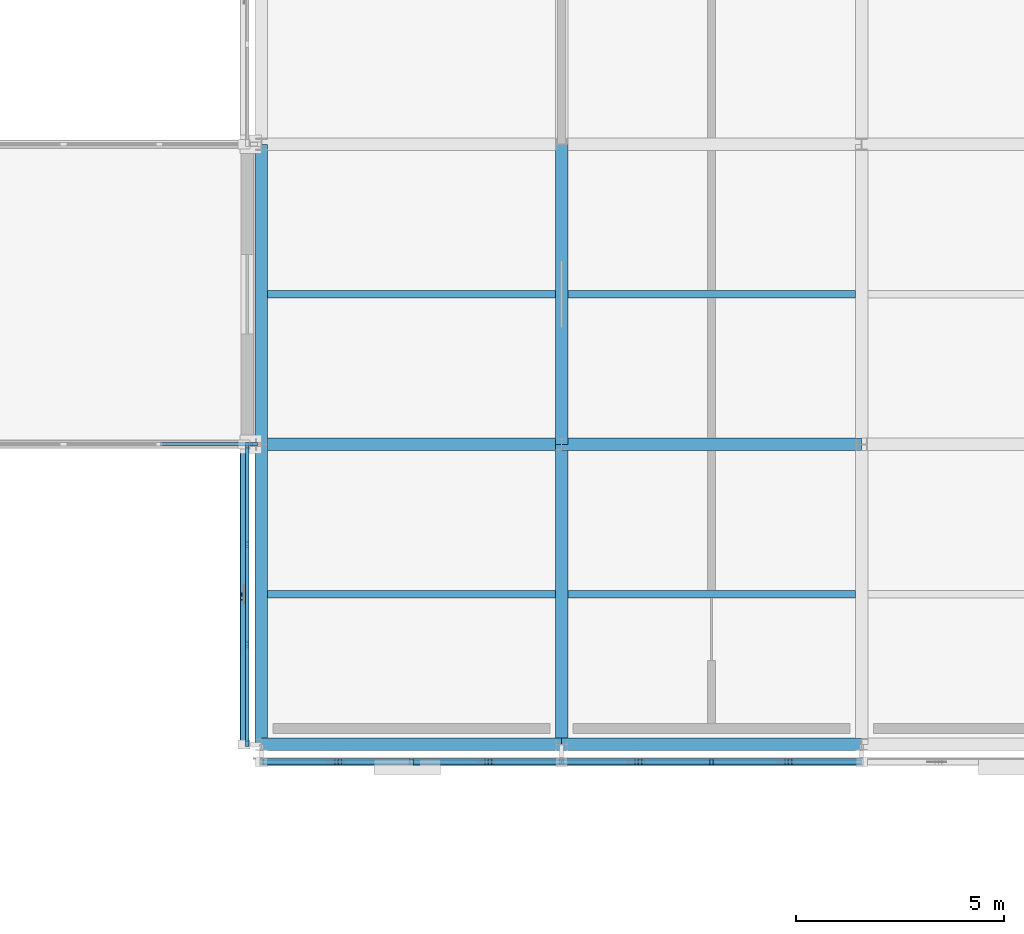
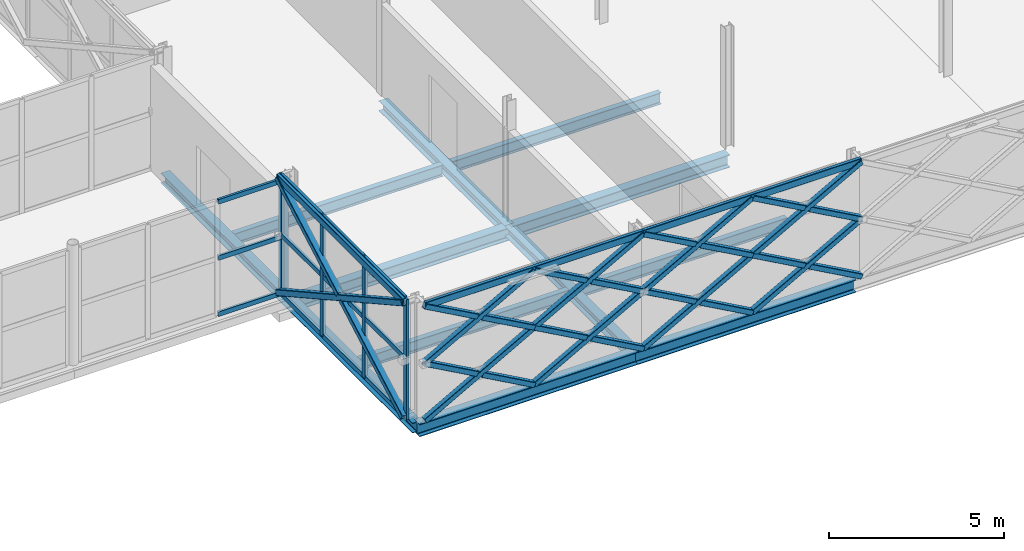
# One storey, part 67 of 146: 47 members, 12 beams, 2 elements without a shape of their own.
"""IFC4 building model written with IfcOpenShell, lengths in metres."""

from ifc_helpers import new_model, si_unit, direction, frame, origin, origin_2d, place, context, subcontext, project, spatial, rectangle, hollow_rectangle, i_section, extrude, material, material_profile, profile_set, type_object, element, aggregate, save


model = new_model("IFC4")

# Units and contexts
model_context = context("Model", 3, precision=1e-05, world=origin(), true_north=direction((0.0, 1.0)))
body_context = subcontext(model_context, "Body", "Model", "MODEL_VIEW")
ifc_project = project(units=[si_unit("LENGTHUNIT", "METRE"), si_unit("AREAUNIT", "SQUARE_METRE"), si_unit("VOLUMEUNIT", "CUBIC_METRE"), si_unit("PLANEANGLEUNIT", "RADIAN"), si_unit("MASSUNIT", "GRAM", prefix="KILO")], contexts=[model_context])

# Site, building, storey
site_placement = place(None, origin())
site = spatial("IfcSite", under=ifc_project, at=site_placement, CompositionType="ELEMENT")
building_placement = place(site_placement, origin())
building = spatial("IfcBuilding", under=site, at=building_placement, Name="Zlatovets Crest Museum", CompositionType="ELEMENT")
storey_placement = place(building_placement, frame((0.0, 0.0, 4.5)))
storey = spatial("IfcBuildingStorey", under=building, at=storey_placement, Name="L01", CompositionType="ELEMENT", Elevation=4.5)

# Beams
ifc_material_1 = material(Name="Structural steel S355J2", Category="steel")
ifc_material_profile_1 = material_profile(ifc_material_1, i_section(OverallWidth=0.300048828125, OverallDepth=0.35009765625, WebThickness=0.010009765625, FlangeThickness=0.017578125, FilletRadius=0.027099609375, at=origin_2d()), Name="HEA 360")
ifc_profile_set_1 = profile_set([ifc_material_profile_1], Name="Structural steel S355J2")
beam_type_1 = type_object("IfcBeamType", Name="Beam_B-03", PredefinedType="BEAM", material=ifc_profile_set_1)
beam_1_placement = place(storey_placement, frame((129.60009765625, 14.39990234375, -0.39501953125), z_axis=(0.0, 1.0, 0.0), x_axis=(-1.0, 0.0, 0.0)))
element("IfcBeam", 1, at=beam_1_placement, inside=storey, type_object=beam_type_1, Name="V5 L01 Grid Beam B-03", PredefinedType="BEAM", context=body_context, shape_type="SweptSolid", body=[
    extrude(i_section(OverallWidth=0.300048828125, OverallDepth=0.35009765625, WebThickness=0.010009765625, FlangeThickness=0.017578125, FilletRadius=0.027099609375, at=origin_2d()), origin(), (0.0, 0.0, 1.0), 7.2001953125),
])
beam_2_placement = place(storey_placement, frame((129.60009765625, 21.60009765625, -0.39501953125), z_axis=(0.0, 1.0, 0.0), x_axis=(-1.0, 0.0, 0.0)))
element("IfcBeam", 2, at=beam_2_placement, inside=storey, type_object=beam_type_1, Name="V5 L01 Grid Beam B-03", PredefinedType="BEAM", context=body_context, shape_type="SweptSolid", body=[
    extrude(i_section(OverallWidth=0.300048828125, OverallDepth=0.35009765625, WebThickness=0.010009765625, FlangeThickness=0.017578125, FilletRadius=0.027099609375, at=origin_2d()), origin(), (0.0, 0.0, 1.0), 7.199951171875),
])
beam_3_placement = place(storey_placement, frame((136.800048828125, 14.39990234375, -0.39501953125), z_axis=(0.0, 1.0, 0.0), x_axis=(-1.0, 0.0, 0.0)))
element("IfcBeam", 3, at=beam_3_placement, inside=storey, type_object=beam_type_1, Name="V5 L01 Grid Beam B-03", PredefinedType="BEAM", context=body_context, shape_type="SweptSolid", body=[
    extrude(i_section(OverallWidth=0.300048828125, OverallDepth=0.35009765625, WebThickness=0.010009765625, FlangeThickness=0.017578125, FilletRadius=0.027099609375, at=origin_2d()), origin(), (0.0, 0.0, 1.0), 7.2001953125),
])
beam_4_placement = place(storey_placement, frame((136.800048828125, 21.60009765625, -0.39501953125), z_axis=(0.0, 1.0, 0.0), x_axis=(-1.0, 0.0, 0.0)))
element("IfcBeam", 4, at=beam_4_placement, inside=storey, type_object=beam_type_1, Name="V5 L01 Grid Beam B-03", PredefinedType="BEAM", context=body_context, shape_type="SweptSolid", body=[
    extrude(i_section(OverallWidth=0.300048828125, OverallDepth=0.35009765625, WebThickness=0.010009765625, FlangeThickness=0.017578125, FilletRadius=0.027099609375, at=origin_2d()), origin(), (0.0, 0.0, 1.0), 7.199951171875),
])
ifc_material_profile_2 = material_profile(ifc_material_1, i_section(OverallWidth=0.300048828125, OverallDepth=0.43994140625, WebThickness=0.011474609375, FlangeThickness=0.02099609375, FilletRadius=0.027099609375, at=origin_2d()), Name="HEA 450")
ifc_profile_set_2 = profile_set([ifc_material_profile_2], Name="Structural steel S355J2")
beam_type_2 = type_object("IfcBeamType", Name="Beam_B-10", PredefinedType="BEAM", material=ifc_profile_set_2)
for number, where, z_axis, x_axis, name in (
    (5, (129.60009765625, 14.39990234375, -0.43994140625), (1.0, 0.0, 0.0), (0.0, 1.0, 0.0), "V5 L01 Primary Girder B-10"),
    (6, (136.800048828125, 14.39990234375, -0.43994140625), (1.0, 0.0, 0.0), (0.0, 1.0, 0.0), "V5 L01 Primary Girder B-10"),
    (7, (129.60009765625, 21.60009765625, -0.43994140625), (1.0, 0.0, 0.0), (0.0, 1.0, 0.0), "V5 L01 Primary Girder B-10"),
    (8, (136.800048828125, 21.60009765625, -0.43994140625), (1.0, 0.0, 0.0), (0.0, 1.0, 0.0), "V5 L01 Primary Girder B-10"),
):
    element("IfcBeam", number, at=place(storey_placement, frame(where, z_axis=z_axis, x_axis=x_axis)), inside=storey, type_object=beam_type_2, Name=name, PredefinedType="BEAM", context=body_context, shape_type="SweptSolid", body=[
        extrude(i_section(OverallWidth=0.300048828125, OverallDepth=0.43994140625, WebThickness=0.011474609375, FlangeThickness=0.02099609375, FilletRadius=0.027099609375, at=origin_2d()), origin(), (0.0, 0.0, 1.0), 7.199951171875),
    ])
ifc_material_profile_3 = material_profile(ifc_material_1, i_section(OverallWidth=0.179931640625, OverallDepth=0.39990234375, WebThickness=0.008544921875, FlangeThickness=0.013427734375, FilletRadius=0.02099609375, at=origin_2d()), Name="IPE 400")
ifc_profile_set_3 = profile_set([ifc_material_profile_3], Name="Structural steel S355J2")
beam_type_3 = type_object("IfcBeamType", Name="Beam_J-04", PredefinedType="JOIST", material=ifc_profile_set_3)
for number, where, z_axis, x_axis, name in (
    (9, (129.75, 18.0, -0.419921875), (1.0, 0.0, 0.0), (0.0, 1.0, 0.0), "V5 L01 Composite Joist J-04"),
    (10, (129.75, 25.199951171875, -0.419921875), (1.0, 0.0, 0.0), (0.0, 1.0, 0.0), "V5 L01 Composite Joist J-04"),
):
    element("IfcBeam", number, at=place(storey_placement, frame(where, z_axis=z_axis, x_axis=x_axis)), inside=storey, type_object=beam_type_3, Name=name, PredefinedType="JOIST", context=body_context, shape_type="SweptSolid", body=[
        extrude(i_section(OverallWidth=0.179931640625, OverallDepth=0.39990234375, WebThickness=0.008544921875, FlangeThickness=0.013427734375, FilletRadius=0.02099609375, at=origin_2d()), origin(), (0.0, 0.0, 1.0), 6.89990234375),
    ])
for number, where, z_axis, x_axis, name in (
    (11, (136.949951171875, 18.0, -0.419921875), (1.0, 0.0, 0.0), (0.0, 1.0, 0.0), "V5 L01 Composite Joist J-04"),
    (12, (136.949951171875, 25.199951171875, -0.419921875), (1.0, 0.0, 0.0), (0.0, 1.0, 0.0), "V5 L01 Composite Joist J-04"),
):
    element("IfcBeam", number, at=place(storey_placement, frame(where, z_axis=z_axis, x_axis=x_axis)), inside=storey, type_object=beam_type_3, Name=name, PredefinedType="JOIST", context=body_context, shape_type="SweptSolid", body=[
        extrude(i_section(OverallWidth=0.179931640625, OverallDepth=0.39990234375, WebThickness=0.008544921875, FlangeThickness=0.013427734375, FilletRadius=0.02099609375, at=origin_2d()), origin(), (0.0, 0.0, 1.0), 6.900146484375),
    ])

# Curtain wall, members
ifc_material_2 = material(Name="Bronze-anodised aluminium and low-E triple glass", Category="aluminium")
curtain_wall_type_1 = type_object("IfcCurtainWallType", Name="CW_CW-V5-L01-M1", PredefinedType="NOTDEFINED", material=ifc_material_2)
curtain_wall_1_placement = place(storey_placement, origin())
curtain_wall_1 = element("IfcCurtainWall", 13, at=curtain_wall_1_placement, inside=storey, type_object=curtain_wall_type_1, Name="V5 L01 Secession Foyer Clear Curtain Wall", PredefinedType="NOTDEFINED")
ifc_material_3 = material(Name="Bronze-anodised aluminium EN AW-6060", Category="aluminium")
ifc_material_profile_4 = material_profile(ifc_material_3, rectangle(XDim=0.080078125, YDim=0.159912109375, at=origin_2d()), Name="ALU 80x160")
ifc_profile_set_4 = profile_set([ifc_material_profile_4], Name="Bronze-anodised aluminium EN AW-6060")
member_type_1 = type_object("IfcMemberType", Name="CWMull_M1", PredefinedType="MULLION", material=ifc_profile_set_4)
member_1_placement = place(storey_placement, frame((129.260009765625, 21.570068359375, 0.0), z_axis=(0.0, 0.0, 1.0), x_axis=(1.0, 0.0, 0.0)))
member_1 = element("IfcMember", 14, at=member_1_placement, type_object=member_type_1, Name="CW-V5-L01-M1 mullion 1", PredefinedType="MULLION", context=body_context, shape_type="SweptSolid", body=[
    extrude(rectangle(XDim=0.080078125, YDim=0.159912109375, at=origin_2d()), origin(), (0.0, 0.0, 1.0), 4.199951171875),
])
member_2_placement = place(storey_placement, frame((129.260009765625, 19.199951171875, 0.0), z_axis=(0.0, 0.0, 1.0), x_axis=(1.0, 0.0, 0.0)))
member_2 = element("IfcMember", 15, at=member_2_placement, type_object=member_type_1, Name="CW-V5-L01-M1 mullion 2", PredefinedType="MULLION", context=body_context, shape_type="SweptSolid", body=[
    extrude(rectangle(XDim=0.080078125, YDim=0.159912109375, at=origin_2d()), origin(), (0.0, 0.0, 1.0), 4.199951171875),
])
member_3_placement = place(storey_placement, frame((129.260009765625, 16.800048828125, 0.0), z_axis=(0.0, 0.0, 1.0), x_axis=(1.0, 0.0, 0.0)))
member_3 = element("IfcMember", 16, at=member_3_placement, type_object=member_type_1, Name="CW-V5-L01-M1 mullion 3", PredefinedType="MULLION", context=body_context, shape_type="SweptSolid", body=[
    extrude(rectangle(XDim=0.080078125, YDim=0.159912109375, at=origin_2d()), origin(), (0.0, 0.0, 1.0), 4.199951171875),
])
member_4_placement = place(storey_placement, frame((129.260009765625, 14.429931640625, 0.0), z_axis=(0.0, 0.0, 1.0), x_axis=(1.0, 0.0, 0.0)))
member_4 = element("IfcMember", 17, at=member_4_placement, type_object=member_type_1, Name="CW-V5-L01-M1 mullion 4", PredefinedType="MULLION", context=body_context, shape_type="SweptSolid", body=[
    extrude(rectangle(XDim=0.080078125, YDim=0.159912109375, at=origin_2d()), origin(), (0.0, 0.0, 1.0), 4.199951171875),
])

# Curtain wall, member
curtain_wall_type_2 = type_object("IfcCurtainWallType", Name="CW_CW-BR4-L01-S69", PredefinedType="NOTDEFINED", material=ifc_material_2)
curtain_wall_2_placement = place(storey_placement, origin())
curtain_wall_2 = element("IfcCurtainWall", 18, at=curtain_wall_2_placement, inside=storey, type_object=curtain_wall_type_2, Name="Southeast Archive Glazed Link Bridge L01 Glazed Bridge Curtain Wall", PredefinedType="NOTDEFINED")
member_5_placement = place(storey_placement, frame((129.419921875, 21.60009765625, 0.0), z_axis=(0.0, 0.0, 1.0), x_axis=(0.0, 1.0, 0.0)))
member_5 = element("IfcMember", 19, at=member_5_placement, type_object=member_type_1, Name="CW-BR4-L01-S69 mullion 4", PredefinedType="MULLION", context=body_context, shape_type="SweptSolid", body=[
    extrude(rectangle(XDim=0.080078125, YDim=0.159912109375, at=origin_2d()), origin(), (0.0, 0.0, 1.0), 3.97998046875),
])

# Member
ifc_material_profile_5 = material_profile(ifc_material_3, rectangle(XDim=0.080078125, YDim=0.159912109375, at=origin_2d()), Name="ALU 80x160")
ifc_profile_set_5 = profile_set([ifc_material_profile_5], Name="Bronze-anodised aluminium EN AW-6060")
member_type_2 = type_object("IfcMemberType", Name="CWTrans_T1", PredefinedType="USERDEFINED", material=ifc_profile_set_5)
member_6_placement = place(storey_placement, frame((129.260009765625, 21.5400390625, 0.030029296875), z_axis=(0.0, -1.0, 0.0), x_axis=(1.0, 0.0, 0.0)))
member_6 = element("IfcMember", 20, at=member_6_placement, type_object=member_type_2, Name="CW-V5-L01-M1 transom 1.1", ObjectType="TRANSOM", PredefinedType="USERDEFINED", context=body_context, shape_type="SweptSolid", body=[
    extrude(rectangle(XDim=0.080078125, YDim=0.159912109375, at=origin_2d()), origin(), (0.0, 0.0, 1.0), 2.31005859375),
])

member_7_placement = place(storey_placement, frame((129.260009765625, 21.5400390625, 2.10009765625), z_axis=(0.0, -1.0, 0.0), x_axis=(1.0, 0.0, 0.0)))
member_7 = element("IfcMember", 21, at=member_7_placement, type_object=member_type_2, Name="CW-V5-L01-M1 transom 1.2", ObjectType="TRANSOM", PredefinedType="USERDEFINED", context=body_context, shape_type="SweptSolid", body=[
    extrude(rectangle(XDim=0.080078125, YDim=0.159912109375, at=origin_2d()), origin(), (0.0, 0.0, 1.0), 2.31005859375),
])

member_8_placement = place(storey_placement, frame((129.260009765625, 21.5400390625, 4.169921875), z_axis=(0.0, -1.0, 0.0), x_axis=(1.0, 0.0, 0.0)))
member_8 = element("IfcMember", 22, at=member_8_placement, type_object=member_type_2, Name="CW-V5-L01-M1 transom 1.3", ObjectType="TRANSOM", PredefinedType="USERDEFINED", context=body_context, shape_type="SweptSolid", body=[
    extrude(rectangle(XDim=0.080078125, YDim=0.159912109375, at=origin_2d()), origin(), (0.0, 0.0, 1.0), 2.31005859375),
])

member_9_placement = place(storey_placement, frame((129.260009765625, 19.169921875, 0.030029296875), z_axis=(0.0, -1.0, 0.0), x_axis=(1.0, 0.0, 0.0)))
member_9 = element("IfcMember", 23, at=member_9_placement, type_object=member_type_2, Name="CW-V5-L01-M1 transom 2.1", ObjectType="TRANSOM", PredefinedType="USERDEFINED", context=body_context, shape_type="SweptSolid", body=[
    extrude(rectangle(XDim=0.080078125, YDim=0.159912109375, at=origin_2d()), origin(), (0.0, 0.0, 1.0), 2.33984375),
])

member_10_placement = place(storey_placement, frame((129.260009765625, 19.169921875, 2.10009765625), z_axis=(0.0, -1.0, 0.0), x_axis=(1.0, 0.0, 0.0)))
member_10 = element("IfcMember", 24, at=member_10_placement, type_object=member_type_2, Name="CW-V5-L01-M1 transom 2.2", ObjectType="TRANSOM", PredefinedType="USERDEFINED", context=body_context, shape_type="SweptSolid", body=[
    extrude(rectangle(XDim=0.080078125, YDim=0.159912109375, at=origin_2d()), origin(), (0.0, 0.0, 1.0), 2.33984375),
])

member_11_placement = place(storey_placement, frame((129.260009765625, 19.169921875, 4.169921875), z_axis=(0.0, -1.0, 0.0), x_axis=(1.0, 0.0, 0.0)))
member_11 = element("IfcMember", 25, at=member_11_placement, type_object=member_type_2, Name="CW-V5-L01-M1 transom 2.3", ObjectType="TRANSOM", PredefinedType="USERDEFINED", context=body_context, shape_type="SweptSolid", body=[
    extrude(rectangle(XDim=0.080078125, YDim=0.159912109375, at=origin_2d()), origin(), (0.0, 0.0, 1.0), 2.33984375),
])

member_12_placement = place(storey_placement, frame((129.260009765625, 16.77001953125, 0.030029296875), z_axis=(0.0, -1.0, 0.0), x_axis=(1.0, 0.0, 0.0)))
member_12 = element("IfcMember", 26, at=member_12_placement, type_object=member_type_2, Name="CW-V5-L01-M1 transom 3.1", ObjectType="TRANSOM", PredefinedType="USERDEFINED", context=body_context, shape_type="SweptSolid", body=[
    extrude(rectangle(XDim=0.080078125, YDim=0.159912109375, at=origin_2d()), origin(), (0.0, 0.0, 1.0), 2.31005859375),
])

member_13_placement = place(storey_placement, frame((129.260009765625, 16.77001953125, 2.10009765625), z_axis=(0.0, -1.0, 0.0), x_axis=(1.0, 0.0, 0.0)))
member_13 = element("IfcMember", 27, at=member_13_placement, type_object=member_type_2, Name="CW-V5-L01-M1 transom 3.2", ObjectType="TRANSOM", PredefinedType="USERDEFINED", context=body_context, shape_type="SweptSolid", body=[
    extrude(rectangle(XDim=0.080078125, YDim=0.159912109375, at=origin_2d()), origin(), (0.0, 0.0, 1.0), 2.31005859375),
])

member_14_placement = place(storey_placement, frame((129.260009765625, 16.77001953125, 4.169921875), z_axis=(0.0, -1.0, 0.0), x_axis=(1.0, 0.0, 0.0)))
member_14 = element("IfcMember", 28, at=member_14_placement, type_object=member_type_2, Name="CW-V5-L01-M1 transom 3.3", ObjectType="TRANSOM", PredefinedType="USERDEFINED", context=body_context, shape_type="SweptSolid", body=[
    extrude(rectangle(XDim=0.080078125, YDim=0.159912109375, at=origin_2d()), origin(), (0.0, 0.0, 1.0), 2.31005859375),
])

aggregate(curtain_wall_1, [member_1, member_2, member_3, member_4, member_6, member_7, member_8, member_9, member_10, member_11, member_12, member_13, member_14])

member_15_placement = place(storey_placement, frame((127.179931640625, 21.60009765625, 0.030029296875), z_axis=(1.0, 0.0, 0.0), x_axis=(0.0, 1.0, 0.0)))
member_15 = element("IfcMember", 29, at=member_15_placement, type_object=member_type_2, Name="CW-BR4-L01-S69 transom 3.1", ObjectType="TRANSOM", PredefinedType="USERDEFINED", context=body_context, shape_type="SweptSolid", body=[
    extrude(rectangle(XDim=0.080078125, YDim=0.159912109375, at=origin_2d()), origin(), (0.0, 0.0, 1.0), 2.2099609375),
])

member_16_placement = place(storey_placement, frame((127.179931640625, 21.60009765625, 1.989990234375), z_axis=(1.0, 0.0, 0.0), x_axis=(0.0, 1.0, 0.0)))
member_16 = element("IfcMember", 30, at=member_16_placement, type_object=member_type_2, Name="CW-BR4-L01-S69 transom 3.2", ObjectType="TRANSOM", PredefinedType="USERDEFINED", context=body_context, shape_type="SweptSolid", body=[
    extrude(rectangle(XDim=0.080078125, YDim=0.159912109375, at=origin_2d()), origin(), (0.0, 0.0, 1.0), 2.2099609375),
])

member_17_placement = place(storey_placement, frame((127.179931640625, 21.60009765625, 3.949951171875), z_axis=(1.0, 0.0, 0.0), x_axis=(0.0, 1.0, 0.0)))
member_17 = element("IfcMember", 31, at=member_17_placement, type_object=member_type_2, Name="CW-BR4-L01-S69 transom 3.3", ObjectType="TRANSOM", PredefinedType="USERDEFINED", context=body_context, shape_type="SweptSolid", body=[
    extrude(rectangle(XDim=0.080078125, YDim=0.159912109375, at=origin_2d()), origin(), (0.0, 0.0, 1.0), 2.2099609375),
])

aggregate(curtain_wall_2, [member_5, member_15, member_16, member_17])

# Members
ifc_material_4 = material(Name="Weathering bronze-steel S355J2W", Category="steel")
ifc_material_profile_6 = material_profile(ifc_material_4, hollow_rectangle(XDim=0.179931640625, YDim=0.179931640625, WallThickness=0.010009765625, InnerFilletRadius=0.010009765625, OuterFilletRadius=0.02001953125, at=origin_2d()), Name="SHS 180x180x10.0")
ifc_profile_set_6 = profile_set([ifc_material_profile_6], Name="Weathering bronze-steel S355J2W")
member_type_3 = type_object("IfcMemberType", Name="Lattice_XL-01", PredefinedType="BRACE", material=ifc_profile_set_6)
member_18_placement = place(storey_placement, frame((129.60009765625, 13.97998046875, 0.10009765625), z_axis=(0.874148886685, 0.0, 0.485658031857), x_axis=(0.0, 1.0, 0.0)))
element("IfcMember", 32, at=member_18_placement, inside=storey, type_object=member_type_3, Name="Continuous Bronze Lattice Diagonal", PredefinedType="BRACE", context=body_context, shape_type="SweptSolid", body=[
    extrude(hollow_rectangle(XDim=0.179931640625, YDim=0.179931640625, WallThickness=0.010009765625, InnerFilletRadius=0.010009765625, OuterFilletRadius=0.02001953125, at=origin_2d()), origin(), (0.0, 0.0, 1.0), 4.1181640625),
])
for number, where, z_axis, x_axis, name in (
    (33, (129.60009765625, 13.97998046875, 2.10009765625), (0.874086907708, 0.0, -0.485769572713), (0.0, 1.0, 0.0), "Split Crossing Bronze Lattice Diagonal Upper"),
    (34, (131.48291015625, 13.97998046875, 1.053955078125), (0.874169001841, 0.0, -0.485621824284), (0.0, 1.0, 0.0), "Split Crossing Bronze Lattice Diagonal Lower"),
):
    element("IfcMember", number, at=place(storey_placement, frame(where, z_axis=z_axis, x_axis=x_axis)), inside=storey, type_object=member_type_3, Name=name, PredefinedType="BRACE", context=body_context, shape_type="SweptSolid", body=[
        extrude(hollow_rectangle(XDim=0.179931640625, YDim=0.179931640625, WallThickness=0.010009765625, InnerFilletRadius=0.010009765625, OuterFilletRadius=0.02001953125, at=origin_2d()), origin(), (0.0, 0.0, 1.0), 1.964111328125),
    ])
member_19_placement = place(storey_placement, frame((133.199951171875, 13.97998046875, 0.10009765625), z_axis=(0.874162868644, 0.0, 0.485632864501), x_axis=(0.0, 1.0, 0.0)))
element("IfcMember", 35, at=member_19_placement, inside=storey, type_object=member_type_3, Name="Continuous Bronze Lattice Diagonal", PredefinedType="BRACE", context=body_context, shape_type="SweptSolid", body=[
    extrude(hollow_rectangle(XDim=0.179931640625, YDim=0.179931640625, WallThickness=0.010009765625, InnerFilletRadius=0.010009765625, OuterFilletRadius=0.02001953125, at=origin_2d()), origin(), (0.0, 0.0, 1.0), 4.118408203125),
])
member_20_placement = place(storey_placement, frame((133.199951171875, 13.97998046875, 2.10009765625), z_axis=(0.874116234569, 0.0, -0.48571679862), x_axis=(0.0, 1.0, 0.0)))
element("IfcMember", 36, at=member_20_placement, inside=storey, type_object=member_type_3, Name="Split Crossing Bronze Lattice Diagonal Upper", PredefinedType="BRACE", context=body_context, shape_type="SweptSolid", body=[
    extrude(hollow_rectangle(XDim=0.179931640625, YDim=0.179931640625, WallThickness=0.010009765625, InnerFilletRadius=0.010009765625, OuterFilletRadius=0.02001953125, at=origin_2d()), origin(), (0.0, 0.0, 1.0), 1.96435546875),
])
member_21_placement = place(storey_placement, frame((135.0830078125, 13.97998046875, 1.053955078125), z_axis=(0.874169001841, 0.0, -0.485621824284), x_axis=(0.0, 1.0, 0.0)))
element("IfcMember", 37, at=member_21_placement, inside=storey, type_object=member_type_3, Name="Split Crossing Bronze Lattice Diagonal Lower", PredefinedType="BRACE", context=body_context, shape_type="SweptSolid", body=[
    extrude(hollow_rectangle(XDim=0.179931640625, YDim=0.179931640625, WallThickness=0.010009765625, InnerFilletRadius=0.010009765625, OuterFilletRadius=0.02001953125, at=origin_2d()), origin(), (0.0, 0.0, 1.0), 1.964111328125),
])
member_22_placement = place(storey_placement, frame((129.60009765625, 13.97998046875, 2.10009765625), z_axis=(0.874148886685, 0.0, 0.485658031857), x_axis=(0.0, 1.0, 0.0)))
element("IfcMember", 38, at=member_22_placement, inside=storey, type_object=member_type_3, Name="Continuous Bronze Lattice Diagonal", PredefinedType="BRACE", context=body_context, shape_type="SweptSolid", body=[
    extrude(hollow_rectangle(XDim=0.179931640625, YDim=0.179931640625, WallThickness=0.010009765625, InnerFilletRadius=0.010009765625, OuterFilletRadius=0.02001953125, at=origin_2d()), origin(), (0.0, 0.0, 1.0), 4.1181640625),
])
for number, where, z_axis, x_axis, name in (
    (39, (129.60009765625, 13.97998046875, 4.10009765625), (0.874086907708, 0.0, -0.485769572713), (0.0, 1.0, 0.0), "Split Crossing Bronze Lattice Diagonal Upper"),
    (40, (131.48291015625, 13.97998046875, 3.053955078125), (0.874169001841, 0.0, -0.485621824284), (0.0, 1.0, 0.0), "Split Crossing Bronze Lattice Diagonal Lower"),
):
    element("IfcMember", number, at=place(storey_placement, frame(where, z_axis=z_axis, x_axis=x_axis)), inside=storey, type_object=member_type_3, Name=name, PredefinedType="BRACE", context=body_context, shape_type="SweptSolid", body=[
        extrude(hollow_rectangle(XDim=0.179931640625, YDim=0.179931640625, WallThickness=0.010009765625, InnerFilletRadius=0.010009765625, OuterFilletRadius=0.02001953125, at=origin_2d()), origin(), (0.0, 0.0, 1.0), 1.964111328125),
    ])
member_23_placement = place(storey_placement, frame((133.199951171875, 13.97998046875, 2.10009765625), z_axis=(0.874162868644, 0.0, 0.485632864501), x_axis=(0.0, 1.0, 0.0)))
element("IfcMember", 41, at=member_23_placement, inside=storey, type_object=member_type_3, Name="Continuous Bronze Lattice Diagonal", PredefinedType="BRACE", context=body_context, shape_type="SweptSolid", body=[
    extrude(hollow_rectangle(XDim=0.179931640625, YDim=0.179931640625, WallThickness=0.010009765625, InnerFilletRadius=0.010009765625, OuterFilletRadius=0.02001953125, at=origin_2d()), origin(), (0.0, 0.0, 1.0), 4.118408203125),
])
member_24_placement = place(storey_placement, frame((133.199951171875, 13.97998046875, 4.10009765625), z_axis=(0.874116234569, 0.0, -0.48571679862), x_axis=(0.0, 1.0, 0.0)))
element("IfcMember", 42, at=member_24_placement, inside=storey, type_object=member_type_3, Name="Split Crossing Bronze Lattice Diagonal Upper", PredefinedType="BRACE", context=body_context, shape_type="SweptSolid", body=[
    extrude(hollow_rectangle(XDim=0.179931640625, YDim=0.179931640625, WallThickness=0.010009765625, InnerFilletRadius=0.010009765625, OuterFilletRadius=0.02001953125, at=origin_2d()), origin(), (0.0, 0.0, 1.0), 1.96435546875),
])
member_25_placement = place(storey_placement, frame((135.0830078125, 13.97998046875, 3.053955078125), z_axis=(0.874169001841, 0.0, -0.485621824284), x_axis=(0.0, 1.0, 0.0)))
element("IfcMember", 43, at=member_25_placement, inside=storey, type_object=member_type_3, Name="Split Crossing Bronze Lattice Diagonal Lower", PredefinedType="BRACE", context=body_context, shape_type="SweptSolid", body=[
    extrude(hollow_rectangle(XDim=0.179931640625, YDim=0.179931640625, WallThickness=0.010009765625, InnerFilletRadius=0.010009765625, OuterFilletRadius=0.02001953125, at=origin_2d()), origin(), (0.0, 0.0, 1.0), 1.964111328125),
])
member_26_placement = place(storey_placement, frame((136.800048828125, 13.97998046875, 0.10009765625), z_axis=(0.874148886685, 0.0, 0.485658031857), x_axis=(0.0, 1.0, 0.0)))
element("IfcMember", 44, at=member_26_placement, inside=storey, type_object=member_type_3, Name="Continuous Bronze Lattice Diagonal", PredefinedType="BRACE", context=body_context, shape_type="SweptSolid", body=[
    extrude(hollow_rectangle(XDim=0.179931640625, YDim=0.179931640625, WallThickness=0.010009765625, InnerFilletRadius=0.010009765625, OuterFilletRadius=0.02001953125, at=origin_2d()), origin(), (0.0, 0.0, 1.0), 4.1181640625),
])
member_27_placement = place(storey_placement, frame((136.800048828125, 13.97998046875, 2.10009765625), z_axis=(0.874116234569, 0.0, -0.48571679862), x_axis=(0.0, 1.0, 0.0)))
element("IfcMember", 45, at=member_27_placement, inside=storey, type_object=member_type_3, Name="Split Crossing Bronze Lattice Diagonal Upper", PredefinedType="BRACE", context=body_context, shape_type="SweptSolid", body=[
    extrude(hollow_rectangle(XDim=0.179931640625, YDim=0.179931640625, WallThickness=0.010009765625, InnerFilletRadius=0.010009765625, OuterFilletRadius=0.02001953125, at=origin_2d()), origin(), (0.0, 0.0, 1.0), 1.96435546875),
])
member_28_placement = place(storey_placement, frame((138.68310546875, 13.97998046875, 1.053955078125), z_axis=(0.874139684676, 0.0, -0.48567459443), x_axis=(0.0, 1.0, 0.0)))
element("IfcMember", 46, at=member_28_placement, inside=storey, type_object=member_type_3, Name="Split Crossing Bronze Lattice Diagonal Lower", PredefinedType="BRACE", context=body_context, shape_type="SweptSolid", body=[
    extrude(hollow_rectangle(XDim=0.179931640625, YDim=0.179931640625, WallThickness=0.010009765625, InnerFilletRadius=0.010009765625, OuterFilletRadius=0.02001953125, at=origin_2d()), origin(), (0.0, 0.0, 1.0), 1.9638671875),
])
member_29_placement = place(storey_placement, frame((140.39990234375, 13.97998046875, 0.10009765625), z_axis=(0.874162868644, 0.0, 0.485632864501), x_axis=(0.0, 1.0, 0.0)))
element("IfcMember", 47, at=member_29_placement, inside=storey, type_object=member_type_3, Name="Continuous Bronze Lattice Diagonal", PredefinedType="BRACE", context=body_context, shape_type="SweptSolid", body=[
    extrude(hollow_rectangle(XDim=0.179931640625, YDim=0.179931640625, WallThickness=0.010009765625, InnerFilletRadius=0.010009765625, OuterFilletRadius=0.02001953125, at=origin_2d()), origin(), (0.0, 0.0, 1.0), 4.118408203125),
])
member_30_placement = place(storey_placement, frame((140.39990234375, 13.97998046875, 2.10009765625), z_axis=(0.874116234569, 0.0, -0.48571679862), x_axis=(0.0, 1.0, 0.0)))
element("IfcMember", 48, at=member_30_placement, inside=storey, type_object=member_type_3, Name="Split Crossing Bronze Lattice Diagonal Upper", PredefinedType="BRACE", context=body_context, shape_type="SweptSolid", body=[
    extrude(hollow_rectangle(XDim=0.179931640625, YDim=0.179931640625, WallThickness=0.010009765625, InnerFilletRadius=0.010009765625, OuterFilletRadius=0.02001953125, at=origin_2d()), origin(), (0.0, 0.0, 1.0), 1.96435546875),
])
member_31_placement = place(storey_placement, frame((142.282958984375, 13.97998046875, 1.053955078125), z_axis=(0.874169001841, 0.0, -0.485621824284), x_axis=(0.0, 1.0, 0.0)))
element("IfcMember", 49, at=member_31_placement, inside=storey, type_object=member_type_3, Name="Split Crossing Bronze Lattice Diagonal Lower", PredefinedType="BRACE", context=body_context, shape_type="SweptSolid", body=[
    extrude(hollow_rectangle(XDim=0.179931640625, YDim=0.179931640625, WallThickness=0.010009765625, InnerFilletRadius=0.010009765625, OuterFilletRadius=0.02001953125, at=origin_2d()), origin(), (0.0, 0.0, 1.0), 1.964111328125),
])
member_32_placement = place(storey_placement, frame((136.800048828125, 13.97998046875, 2.10009765625), z_axis=(0.874148886685, 0.0, 0.485658031857), x_axis=(0.0, 1.0, 0.0)))
element("IfcMember", 50, at=member_32_placement, inside=storey, type_object=member_type_3, Name="Continuous Bronze Lattice Diagonal", PredefinedType="BRACE", context=body_context, shape_type="SweptSolid", body=[
    extrude(hollow_rectangle(XDim=0.179931640625, YDim=0.179931640625, WallThickness=0.010009765625, InnerFilletRadius=0.010009765625, OuterFilletRadius=0.02001953125, at=origin_2d()), origin(), (0.0, 0.0, 1.0), 4.1181640625),
])
member_33_placement = place(storey_placement, frame((136.800048828125, 13.97998046875, 4.10009765625), z_axis=(0.874116234569, 0.0, -0.48571679862), x_axis=(0.0, 1.0, 0.0)))
element("IfcMember", 51, at=member_33_placement, inside=storey, type_object=member_type_3, Name="Split Crossing Bronze Lattice Diagonal Upper", PredefinedType="BRACE", context=body_context, shape_type="SweptSolid", body=[
    extrude(hollow_rectangle(XDim=0.179931640625, YDim=0.179931640625, WallThickness=0.010009765625, InnerFilletRadius=0.010009765625, OuterFilletRadius=0.02001953125, at=origin_2d()), origin(), (0.0, 0.0, 1.0), 1.96435546875),
])
member_34_placement = place(storey_placement, frame((138.68310546875, 13.97998046875, 3.053955078125), z_axis=(0.874139684676, 0.0, -0.48567459443), x_axis=(0.0, 1.0, 0.0)))
element("IfcMember", 52, at=member_34_placement, inside=storey, type_object=member_type_3, Name="Split Crossing Bronze Lattice Diagonal Lower", PredefinedType="BRACE", context=body_context, shape_type="SweptSolid", body=[
    extrude(hollow_rectangle(XDim=0.179931640625, YDim=0.179931640625, WallThickness=0.010009765625, InnerFilletRadius=0.010009765625, OuterFilletRadius=0.02001953125, at=origin_2d()), origin(), (0.0, 0.0, 1.0), 1.9638671875),
])
member_35_placement = place(storey_placement, frame((140.39990234375, 13.97998046875, 2.10009765625), z_axis=(0.874162868644, 0.0, 0.485632864501), x_axis=(0.0, 1.0, 0.0)))
element("IfcMember", 53, at=member_35_placement, inside=storey, type_object=member_type_3, Name="Continuous Bronze Lattice Diagonal", PredefinedType="BRACE", context=body_context, shape_type="SweptSolid", body=[
    extrude(hollow_rectangle(XDim=0.179931640625, YDim=0.179931640625, WallThickness=0.010009765625, InnerFilletRadius=0.010009765625, OuterFilletRadius=0.02001953125, at=origin_2d()), origin(), (0.0, 0.0, 1.0), 4.118408203125),
])
member_36_placement = place(storey_placement, frame((140.39990234375, 13.97998046875, 4.10009765625), z_axis=(0.874116234569, 0.0, -0.48571679862), x_axis=(0.0, 1.0, 0.0)))
element("IfcMember", 54, at=member_36_placement, inside=storey, type_object=member_type_3, Name="Split Crossing Bronze Lattice Diagonal Upper", PredefinedType="BRACE", context=body_context, shape_type="SweptSolid", body=[
    extrude(hollow_rectangle(XDim=0.179931640625, YDim=0.179931640625, WallThickness=0.010009765625, InnerFilletRadius=0.010009765625, OuterFilletRadius=0.02001953125, at=origin_2d()), origin(), (0.0, 0.0, 1.0), 1.96435546875),
])
member_37_placement = place(storey_placement, frame((142.282958984375, 13.97998046875, 3.053955078125), z_axis=(0.874169001841, 0.0, -0.485621824284), x_axis=(0.0, 1.0, 0.0)))
element("IfcMember", 55, at=member_37_placement, inside=storey, type_object=member_type_3, Name="Split Crossing Bronze Lattice Diagonal Lower", PredefinedType="BRACE", context=body_context, shape_type="SweptSolid", body=[
    extrude(hollow_rectangle(XDim=0.179931640625, YDim=0.179931640625, WallThickness=0.010009765625, InnerFilletRadius=0.010009765625, OuterFilletRadius=0.02001953125, at=origin_2d()), origin(), (0.0, 0.0, 1.0), 1.964111328125),
])
ifc_material_profile_7 = material_profile(ifc_material_4, hollow_rectangle(XDim=0.199951171875, YDim=0.199951171875, WallThickness=0.012451171875, InnerFilletRadius=0.012451171875, OuterFilletRadius=0.02490234375, at=origin_2d()), Name="SHS 200x200x12.5")
ifc_profile_set_7 = profile_set([ifc_material_profile_7], Name="Weathering bronze-steel S355J2W")
member_type_4 = type_object("IfcMemberType", Name="Lattice_XL-02", PredefinedType="BRACE", material=ifc_profile_set_7)
member_38_placement = place(storey_placement, frame((129.179931640625, 21.60009765625, 0.10009765625), z_axis=(0.0, -0.874162868644, 0.485632864501), x_axis=(1.0, 0.0, 0.0)))
element("IfcMember", 56, at=member_38_placement, inside=storey, type_object=member_type_4, Name="Continuous Bronze Lattice Diagonal", PredefinedType="BRACE", context=body_context, shape_type="SweptSolid", body=[
    extrude(hollow_rectangle(XDim=0.199951171875, YDim=0.199951171875, WallThickness=0.012451171875, InnerFilletRadius=0.012451171875, OuterFilletRadius=0.02490234375, at=origin_2d()), origin(), (0.0, 0.0, 1.0), 8.236572265625),
])
for number, where, z_axis, x_axis, name in (
    (57, (129.179931640625, 21.60009765625, 4.10009765625), (0.0, -0.874140102304, -0.485673842763), (1.0, 0.0, 0.0), "Split Crossing Bronze Lattice Diagonal Upper"),
    (58, (129.179931640625, 17.9169921875, 2.053955078125), (0.0, -0.874165862873, -0.485627474703), (1.0, 0.0, 0.0), "Split Crossing Bronze Lattice Diagonal Lower"),
):
    element("IfcMember", number, at=place(storey_placement, frame(where, z_axis=z_axis, x_axis=x_axis)), inside=storey, type_object=member_type_4, Name=name, PredefinedType="BRACE", context=body_context, shape_type="SweptSolid", body=[
        extrude(hollow_rectangle(XDim=0.199951171875, YDim=0.199951171875, WallThickness=0.012451171875, InnerFilletRadius=0.012451171875, OuterFilletRadius=0.02490234375, at=origin_2d()), origin(), (0.0, 0.0, 1.0), 4.0234375),
    ])
ifc_material_profile_8 = material_profile(ifc_material_4, hollow_rectangle(XDim=0.1201171875, YDim=0.239990234375, WallThickness=0.010009765625, InnerFilletRadius=0.010009765625, OuterFilletRadius=0.02001953125, at=origin_2d()), Name="RHS 120x240x10.0")
ifc_profile_set_8 = profile_set([ifc_material_profile_8], Name="Weathering bronze-steel S355J2W")
member_type_5 = type_object("IfcMemberType", Name="Lattice_XL-04", PredefinedType="CHORD", material=ifc_profile_set_8)
for number, where, z_axis, x_axis, name in (
    (59, (129.60009765625, 13.97998046875, 4.10009765625), (1.0, 0.0, 0.0), (0.0, 1.0, 0.0), "Art Nouveau Woven Cage Collector Ring Chord"),
    (60, (136.800048828125, 13.97998046875, 4.10009765625), (1.0, 0.0, 0.0), (0.0, 1.0, 0.0), "Art Nouveau Woven Cage Collector Ring Chord"),
):
    element("IfcMember", number, at=place(storey_placement, frame(where, z_axis=z_axis, x_axis=x_axis)), inside=storey, type_object=member_type_5, Name=name, PredefinedType="CHORD", context=body_context, shape_type="SweptSolid", body=[
        extrude(hollow_rectangle(XDim=0.1201171875, YDim=0.239990234375, WallThickness=0.010009765625, InnerFilletRadius=0.010009765625, OuterFilletRadius=0.02001953125, at=origin_2d()), origin(), (0.0, 0.0, 1.0), 7.199951171875),
    ])
member_39_placement = place(storey_placement, frame((129.179931640625, 21.60009765625, 4.10009765625), z_axis=(0.0, -1.0, 0.0), x_axis=(1.0, 0.0, 0.0)))
element("IfcMember", 61, at=member_39_placement, inside=storey, type_object=member_type_5, Name="Art Nouveau Woven Cage Collector Ring Chord", PredefinedType="CHORD", context=body_context, shape_type="SweptSolid", body=[
    extrude(hollow_rectangle(XDim=0.1201171875, YDim=0.239990234375, WallThickness=0.010009765625, InnerFilletRadius=0.010009765625, OuterFilletRadius=0.02001953125, at=origin_2d()), origin(), (0.0, 0.0, 1.0), 7.2001953125),
])

save(model, "model.ifc")
